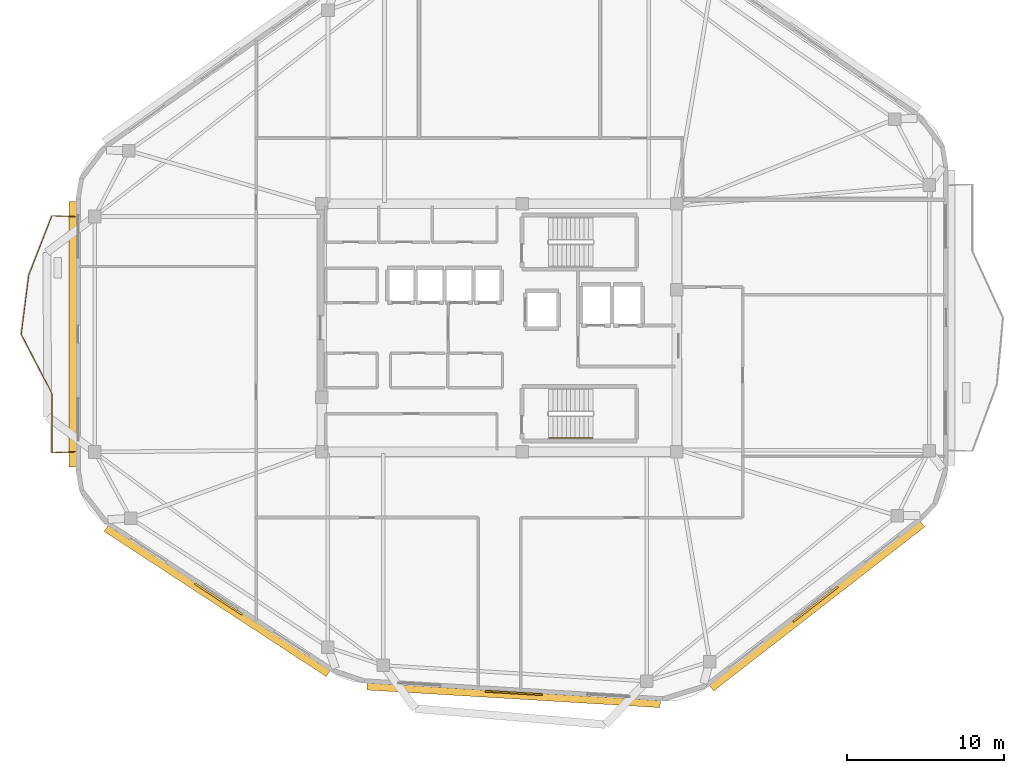
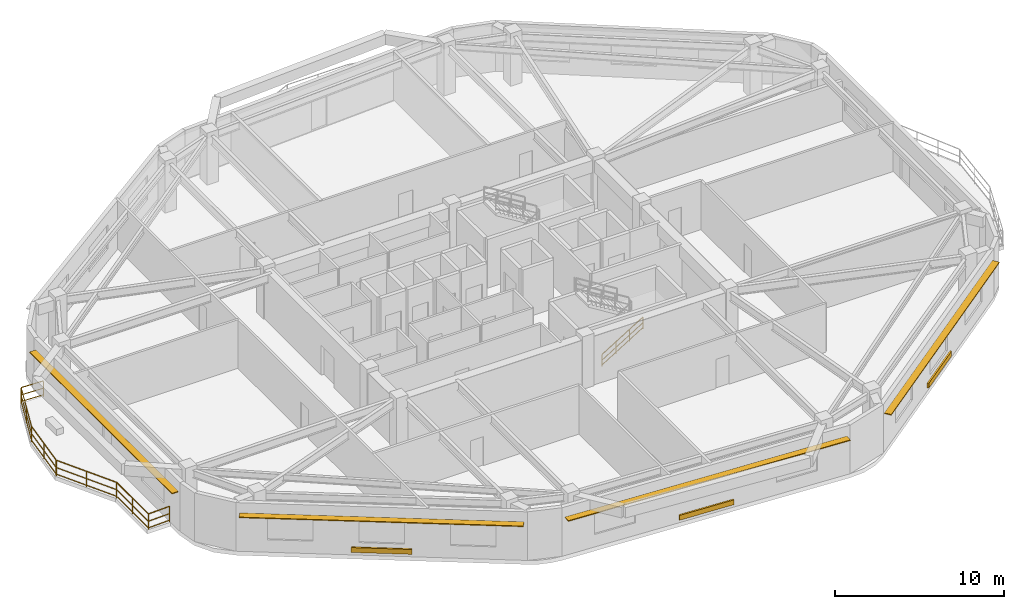
# One storey, part 7 of 9: 7 railings, 7 shading devices.
"""IFC4 building model written with IfcOpenShell, lengths in metres."""

from ifc_helpers import new_model, si_unit, direction, frame, origin, origin_2d, place, context, subcontext, project, spatial, rectangle, extrude, material, layer, layer_set, type_object, element, save


model = new_model("IFC4")

# Units and contexts
model_context = context("Model", 3, precision=1e-05, world=origin(), true_north=direction((0.0, 1.0)))
body_context = subcontext(model_context, "Body", "Model", "MODEL_VIEW")
ifc_project = project(units=[si_unit("LENGTHUNIT", "METRE"), si_unit("AREAUNIT", "SQUARE_METRE"), si_unit("VOLUMEUNIT", "CUBIC_METRE"), si_unit("PLANEANGLEUNIT", "RADIAN"), si_unit("MASSUNIT", "GRAM", prefix="KILO")], contexts=[model_context])

# Site, building, storey
site_placement = place(None, origin())
site = spatial("IfcSite", under=ifc_project, at=site_placement, CompositionType="ELEMENT")
building_placement = place(site_placement, origin())
building = spatial("IfcBuilding", under=site, at=building_placement, Name="Zulverin Broadcast Headquarters", CompositionType="ELEMENT")
storey_placement = place(building_placement, frame((0.0, 0.0, 266.800048828125)))
storey = spatial("IfcBuildingStorey", under=building, at=storey_placement, Name="L68", CompositionType="ELEMENT", Elevation=266.800048828125)

# Railings
ifc_material_1 = material(Name="Brushed stainless steel & laminated glass balustrade", Category="steel")
railing_type_1 = type_object("IfcRailingType", Name="RL-GUARD-1150", PredefinedType="GUARDRAIL", material=ifc_material_1)
railing_1_placement = place(storey_placement, frame((10.06005859375, 32.265380859375, 0.0)))
element("IfcRailing", 1, at=railing_1_placement, inside=storey, type_object=railing_type_1, Name="L68 Vertical-Forest Balcony Guardrail BAL_W Segment 01", PredefinedType="GUARDRAIL", context=body_context, shape_type="SweptSolid", body=[
    extrude(rectangle(XDim=0.048095703125, YDim=0.048095703125, at=origin_2d()), frame((0.0, 0.0, 1.1259765625), z_axis=(-0.999181155166, 0.040460093435, 0.0), x_axis=(-0.040460093435, -0.999181155166, 0.0)), (0.0, 0.0, 1.0), 1.46630859375),
    extrude(rectangle(XDim=0.0419921875, YDim=0.0419921875, at=origin_2d()), frame((0.0, 0.0, 0.597900390625), z_axis=(-0.999181155166, 0.040460093435, 0.0), x_axis=(-0.040460093435, -0.999181155166, 0.0)), (0.0, 0.0, 1.0), 1.46630859375),
    extrude(rectangle(XDim=0.0419921875, YDim=0.0419921875, at=origin_2d()), frame((0.0, 0.0, 0.1201171875), z_axis=(-0.999181155166, 0.040460093435, 0.0), x_axis=(-0.040460093435, -0.999181155166, 0.0)), (0.0, 0.0, 1.0), 1.46630859375),
    extrude(rectangle(XDim=0.0419921875, YDim=0.0419921875, at=origin_2d()), origin(), (0.0, 0.0, 1.0), 1.101806640625),
    extrude(rectangle(XDim=0.0419921875, YDim=0.0419921875, at=origin_2d()), frame((-1.465087890625, 0.059326171875, 0.0)), (0.0, 0.0, 1.0), 1.101806640625),
])
railing_2_placement = place(storey_placement, frame((8.574462890625, 32.311279296875, 0.0)))
element("IfcRailing", 2, at=railing_2_placement, inside=storey, type_object=railing_type_1, Name="L68 Vertical-Forest Balcony Guardrail BAL_W Segment 02", PredefinedType="GUARDRAIL", context=body_context, shape_type="SweptSolid", body=[
    extrude(rectangle(XDim=0.048095703125, YDim=0.048095703125, at=origin_2d()), frame((0.0, 0.0, 1.1259765625), z_axis=(-0.363547639782, -0.931575608101, 0.0), x_axis=(0.931575608101, -0.363547639782, 0.0)), (0.0, 0.0, 1.0), 4.010498046875),
    extrude(rectangle(XDim=0.0419921875, YDim=0.0419921875, at=origin_2d()), frame((0.0, 0.0, 0.597900390625), z_axis=(-0.363547639782, -0.931575608101, 0.0), x_axis=(0.931575608101, -0.363547639782, 0.0)), (0.0, 0.0, 1.0), 4.010498046875),
    extrude(rectangle(XDim=0.0419921875, YDim=0.0419921875, at=origin_2d()), frame((0.0, 0.0, 0.1201171875), z_axis=(-0.363547639782, -0.931575608101, 0.0), x_axis=(0.931575608101, -0.363547639782, 0.0)), (0.0, 0.0, 1.0), 4.010498046875),
    extrude(rectangle(XDim=0.0419921875, YDim=0.0419921875, at=origin_2d()), origin(), (0.0, 0.0, 1.0), 1.101806640625),
    extrude(rectangle(XDim=0.0419921875, YDim=0.0419921875, at=origin_2d()), frame((-0.72900390625, -1.8681640625, 0.0)), (0.0, 0.0, 1.0), 1.101806640625),
    extrude(rectangle(XDim=0.0419921875, YDim=0.0419921875, at=origin_2d()), frame((-1.4580078125, -3.736083984375, 0.0)), (0.0, 0.0, 1.0), 1.101806640625),
])
railing_3_placement = place(storey_placement, frame((7.109130859375, 28.546142578125, 0.0)))
element("IfcRailing", 3, at=railing_3_placement, inside=storey, type_object=railing_type_1, Name="L68 Vertical-Forest Balcony Guardrail BAL_W Segment 03", PredefinedType="GUARDRAIL", context=body_context, shape_type="SweptSolid", body=[
    extrude(rectangle(XDim=0.048095703125, YDim=0.048095703125, at=origin_2d()), frame((0.0, 0.0, 1.1259765625), z_axis=(-0.126788023985, -0.991929834703, 0.0), x_axis=(0.991929834703, -0.126788023985, 0.0)), (0.0, 0.0, 1.0), 3.764404296875),
    extrude(rectangle(XDim=0.0419921875, YDim=0.0419921875, at=origin_2d()), frame((0.0, 0.0, 0.597900390625), z_axis=(-0.126788023985, -0.991929834703, 0.0), x_axis=(0.991929834703, -0.126788023985, 0.0)), (0.0, 0.0, 1.0), 3.764404296875),
    extrude(rectangle(XDim=0.0419921875, YDim=0.0419921875, at=origin_2d()), frame((0.0, 0.0, 0.1201171875), z_axis=(-0.126788023985, -0.991929834703, 0.0), x_axis=(0.991929834703, -0.126788023985, 0.0)), (0.0, 0.0, 1.0), 3.764404296875),
    extrude(rectangle(XDim=0.0419921875, YDim=0.0419921875, at=origin_2d()), origin(), (0.0, 0.0, 1.0), 1.101806640625),
    extrude(rectangle(XDim=0.0419921875, YDim=0.0419921875, at=origin_2d()), frame((-0.23876953125, -1.8671875, 0.0)), (0.0, 0.0, 1.0), 1.101806640625),
    extrude(rectangle(XDim=0.0419921875, YDim=0.0419921875, at=origin_2d()), frame((-0.477294921875, -3.734130859375, 0.0)), (0.0, 0.0, 1.0), 1.101806640625),
])
railing_4_placement = place(storey_placement, frame((6.636962890625, 24.78369140625, 0.0)))
element("IfcRailing", 4, at=railing_4_placement, inside=storey, type_object=railing_type_1, Name="L68 Vertical-Forest Balcony Guardrail BAL_W Segment 04", PredefinedType="GUARDRAIL", context=body_context, shape_type="SweptSolid", body=[
    extrude(rectangle(XDim=0.048095703125, YDim=0.048095703125, at=origin_2d()), frame((0.0, 0.0, 1.1259765625), z_axis=(0.459951434147, -0.887944073816, 0.0), x_axis=(0.887944073816, 0.459951434147, 0.0)), (0.0, 0.0, 1.0), 4.209228515625),
    extrude(rectangle(XDim=0.0419921875, YDim=0.0419921875, at=origin_2d()), frame((0.0, 0.0, 0.597900390625), z_axis=(0.459951434147, -0.887944073816, 0.0), x_axis=(0.887944073816, 0.459951434147, 0.0)), (0.0, 0.0, 1.0), 4.209228515625),
    extrude(rectangle(XDim=0.0419921875, YDim=0.0419921875, at=origin_2d()), frame((0.0, 0.0, 0.1201171875), z_axis=(0.459951434147, -0.887944073816, 0.0), x_axis=(0.887944073816, 0.459951434147, 0.0)), (0.0, 0.0, 1.0), 4.209228515625),
    extrude(rectangle(XDim=0.0419921875, YDim=0.0419921875, at=origin_2d()), origin(), (0.0, 0.0, 1.0), 1.101806640625),
    extrude(rectangle(XDim=0.0419921875, YDim=0.0419921875, at=origin_2d()), frame((0.968017578125, -1.86865234375, 0.0)), (0.0, 0.0, 1.0), 1.101806640625),
    extrude(rectangle(XDim=0.0419921875, YDim=0.0419921875, at=origin_2d()), frame((1.93603515625, -3.737548828125, 0.0)), (0.0, 0.0, 1.0), 1.101806640625),
])
railing_5_placement = place(storey_placement, frame((8.580078125, 21.017822265625, 0.0)))
element("IfcRailing", 5, at=railing_5_placement, inside=storey, type_object=railing_type_1, Name="L68 Vertical-Forest Balcony Guardrail BAL_W Segment 05", PredefinedType="GUARDRAIL", context=body_context, shape_type="SweptSolid", body=[
    extrude(rectangle(XDim=0.048095703125, YDim=0.048095703125, at=origin_2d()), frame((0.0, 0.0, 1.1259765625), z_axis=(0.0, -1.0, 0.0), x_axis=(1.0, 0.0, 0.0)), (0.0, 0.0, 1.0), 3.734130859375),
    extrude(rectangle(XDim=0.0419921875, YDim=0.0419921875, at=origin_2d()), frame((0.0, 0.0, 0.597900390625), z_axis=(0.0, -1.0, 0.0), x_axis=(1.0, 0.0, 0.0)), (0.0, 0.0, 1.0), 3.734130859375),
    extrude(rectangle(XDim=0.0419921875, YDim=0.0419921875, at=origin_2d()), frame((0.0, 0.0, 0.1201171875), z_axis=(0.0, -1.0, 0.0), x_axis=(1.0, 0.0, 0.0)), (0.0, 0.0, 1.0), 3.734130859375),
    extrude(rectangle(XDim=0.0419921875, YDim=0.0419921875, at=origin_2d()), origin(), (0.0, 0.0, 1.0), 1.101806640625),
    extrude(rectangle(XDim=0.0419921875, YDim=0.0419921875, at=origin_2d()), frame((0.0, -1.8671875, 0.0)), (0.0, 0.0, 1.0), 1.101806640625),
    extrude(rectangle(XDim=0.0419921875, YDim=0.0419921875, at=origin_2d()), frame((0.0, -3.734130859375, 0.0)), (0.0, 0.0, 1.0), 1.101806640625),
])
railing_6_placement = place(storey_placement, frame((8.594970703125, 17.269287109375, 0.0)))
element("IfcRailing", 6, at=railing_6_placement, inside=storey, type_object=railing_type_1, Name="L68 Vertical-Forest Balcony Guardrail BAL_W Segment 06", PredefinedType="GUARDRAIL", context=body_context, shape_type="SweptSolid", body=[
    extrude(rectangle(XDim=0.048095703125, YDim=0.048095703125, at=origin_2d()), frame((0.0, 0.0, 1.1259765625), z_axis=(0.999181155166, 0.040460093435, 0.0), x_axis=(-0.040460093435, 0.999181155166, 0.0)), (0.0, 0.0, 1.0), 1.46630859375),
    extrude(rectangle(XDim=0.0419921875, YDim=0.0419921875, at=origin_2d()), frame((0.0, 0.0, 0.597900390625), z_axis=(0.999181155166, 0.040460093435, 0.0), x_axis=(-0.040460093435, 0.999181155166, 0.0)), (0.0, 0.0, 1.0), 1.46630859375),
    extrude(rectangle(XDim=0.0419921875, YDim=0.0419921875, at=origin_2d()), frame((0.0, 0.0, 0.1201171875), z_axis=(0.999181155166, 0.040460093435, 0.0), x_axis=(-0.040460093435, 0.999181155166, 0.0)), (0.0, 0.0, 1.0), 1.46630859375),
    extrude(rectangle(XDim=0.0419921875, YDim=0.0419921875, at=origin_2d()), origin(), (0.0, 0.0, 1.0), 1.101806640625),
    extrude(rectangle(XDim=0.0419921875, YDim=0.0419921875, at=origin_2d()), frame((1.465087890625, 0.059326171875, 0.0)), (0.0, 0.0, 1.0), 1.101806640625),
])
ifc_material_2 = material(Name="Brushed stainless steel 48 mm handrail", Category="steel")
railing_type_2 = type_object("IfcRailingType", Name="RL-ST-HAND", PredefinedType="HANDRAIL", material=ifc_material_2)
railing_7_placement = place(storey_placement, frame((40.1298828125, 18.199951171875, 0.172607421875)))
element("IfcRailing", 7, at=railing_7_placement, inside=storey, type_object=railing_type_2, Name="L68 ST-2 stair handrail 1", PredefinedType="HANDRAIL", context=body_context, shape_type="SweptSolid", body=[
    extrude(rectangle(XDim=0.048095703125, YDim=0.048095703125, at=origin_2d()), frame((0.0, 0.0, 0.8759765625), z_axis=(0.851089632645, 0.0, 0.525020415988), x_axis=(0.0, 1.0, 0.0)), (0.0, 0.0, 1.0), 3.2900390625),
    extrude(rectangle(XDim=0.0419921875, YDim=0.0419921875, at=origin_2d()), frame((0.0, 0.0, 0.468017578125), z_axis=(0.851089632645, 0.0, 0.525020415988), x_axis=(0.0, 1.0, 0.0)), (0.0, 0.0, 1.0), 3.2900390625),
    extrude(rectangle(XDim=0.0419921875, YDim=0.0419921875, at=origin_2d()), frame((0.0, 0.0, 0.1201171875), z_axis=(0.851089632645, 0.0, 0.525020415988), x_axis=(0.0, 1.0, 0.0)), (0.0, 0.0, 1.0), 3.2900390625),
    extrude(rectangle(XDim=0.0419921875, YDim=0.0419921875, at=origin_2d()), origin(), (0.0, 0.0, 1.0), 0.851806640625),
    extrude(rectangle(XDim=0.0419921875, YDim=0.0419921875, at=origin_2d()), frame((0.933349609375, 0.0, 0.57568359375)), (0.0, 0.0, 1.0), 0.851806640625),
    extrude(rectangle(XDim=0.0419921875, YDim=0.0419921875, at=origin_2d()), frame((1.86669921875, 0.0, 1.151611328125)), (0.0, 0.0, 1.0), 0.851806640625),
    extrude(rectangle(XDim=0.0419921875, YDim=0.0419921875, at=origin_2d()), frame((2.800048828125, 0.0, 1.727294921875)), (0.0, 0.0, 1.0), 0.851806640625),
])

# Shading devices
ifc_material_3 = material(Name="Anodized pale-metal aluminium acoustic louvre", Category="aluminium")
shading_device_type_1 = type_object("IfcShadingDeviceType", Name="SHD-LOUVRE-350", PredefinedType="USERDEFINED", material=ifc_material_3)
for number, where, z_axis, x_axis, name in (
    (8, (37.91259765625, 2.023681640625, 0.244873046875), (0.0, 0.0, 1.0), (0.998202681386, -0.059928347834, 0.0), "L68 Spandrel Intake Louvre 1"),
    (9, (57.077880859375, 7.653076171875, 0.244873046875), (0.0, 0.0, 1.0), (0.789459183061, 0.613803061479, 0.0), "L68 Spandrel Intake Louvre 2"),
    (10, (19.1591796875, 7.982421875, 0.244873046875), (0.0, 0.0, 1.0), (0.837115830387, -0.54702567263, 0.0), "L68 Spandrel Intake Louvre 8"),
):
    element("IfcShadingDevice", number, at=place(storey_placement, frame(where, z_axis=z_axis, x_axis=x_axis)), inside=storey, type_object=shading_device_type_1, Name=name, ObjectType="LOUVRE", PredefinedType="USERDEFINED", context=body_context, shape_type="SweptSolid", body=[
        extrude(rectangle(XDim=3.60009765625, YDim=0.1201171875, at=origin_2d()), origin(), (0.0, 0.0, 1.0), 0.35009765625),
    ])
ifc_material_4 = material(Name="Anodized pale-metal aluminium sunshade", Category="aluminium")
ifc_layer = layer(ifc_material_4, 0.06005859375, Name="Anodized pale-metal aluminium sunshade", Category="aluminium")
ifc_layer_set = layer_set([ifc_layer], Name="Anodized pale-metal aluminium sunshade")
shading_device_type_2 = type_object("IfcShadingDeviceType", Name="SS-01_PALE_METAL_ALUMINIUM_SUNSHADE", PredefinedType="USERDEFINED", material=ifc_layer_set)
shading_device_1_placement = place(storey_placement, frame((37.90283203125, 1.864013671875, 2.7099609375), z_axis=(0.0, 0.0, 1.0), x_axis=(0.998202681386, -0.059928347834, 0.0)))
element("IfcShadingDevice", 11, at=shading_device_1_placement, inside=storey, type_object=shading_device_type_2, Name="L68 Horizontal Pale-Metal Sunshade Band 1", ObjectType="SUNSHADE", PredefinedType="USERDEFINED", context=body_context, shape_type="SweptSolid", body=[
    extrude(rectangle(XDim=18.65966796875, YDim=0.449951171875, at=origin_2d()), origin(), (0.0, 0.0, 1.0), 0.06005859375),
])
shading_device_2_placement = place(storey_placement, frame((57.176025390625, 7.52685546875, 2.7099609375), z_axis=(0.0, 0.0, 1.0), x_axis=(0.789459183061, 0.613803061479, 0.0)))
element("IfcShadingDevice", 12, at=shading_device_2_placement, inside=storey, type_object=shading_device_type_2, Name="L68 Horizontal Pale-Metal Sunshade Band 2", ObjectType="SUNSHADE", PredefinedType="USERDEFINED", context=body_context, shape_type="SweptSolid", body=[
    extrude(rectangle(XDim=16.987548828125, YDim=0.449951171875, at=origin_2d()), origin(), (0.0, 0.0, 1.0), 0.06005859375),
])
shading_device_3_placement = place(storey_placement, frame((9.89990234375, 24.797119140625, 2.7099609375), z_axis=(0.0, 0.0, 1.0), x_axis=(0.0, -1.0, 0.0)))
element("IfcShadingDevice", 13, at=shading_device_3_placement, inside=storey, type_object=shading_device_type_2, Name="L68 Horizontal Pale-Metal Sunshade Band 7", ObjectType="SUNSHADE", PredefinedType="USERDEFINED", context=body_context, shape_type="SweptSolid", body=[
    extrude(rectangle(XDim=16.856689453125, YDim=0.449951171875, at=origin_2d()), origin(), (0.0, 0.0, 1.0), 0.06005859375),
])
shading_device_4_placement = place(storey_placement, frame((19.07177734375, 7.848388671875, 2.7099609375), z_axis=(0.0, 0.0, 1.0), x_axis=(0.837115830387, -0.54702567263, 0.0)))
element("IfcShadingDevice", 14, at=shading_device_4_placement, inside=storey, type_object=shading_device_type_2, Name="L68 Horizontal Pale-Metal Sunshade Band 8", ObjectType="SUNSHADE", PredefinedType="USERDEFINED", context=body_context, shape_type="SweptSolid", body=[
    extrude(rectangle(XDim=16.859130859375, YDim=0.449951171875, at=origin_2d()), origin(), (0.0, 0.0, 1.0), 0.06005859375),
])

save(model, "model.ifc")
